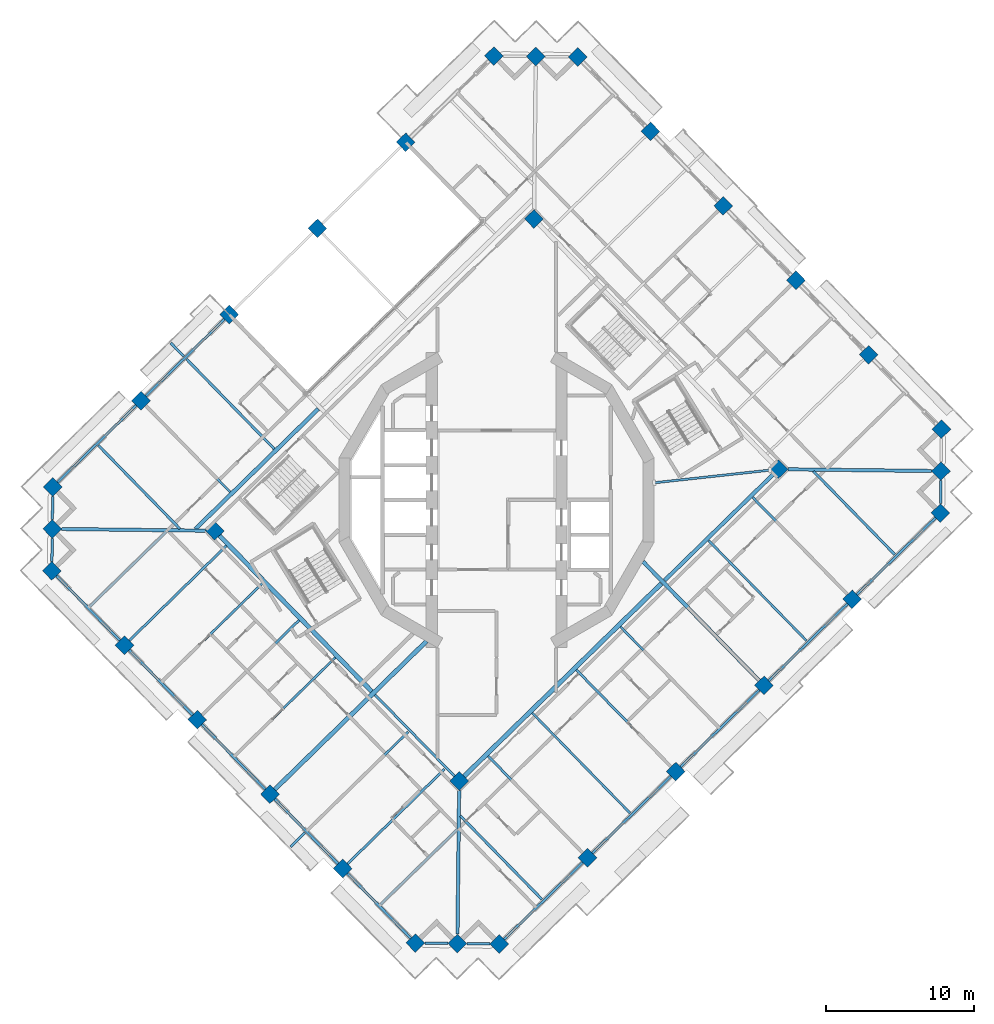
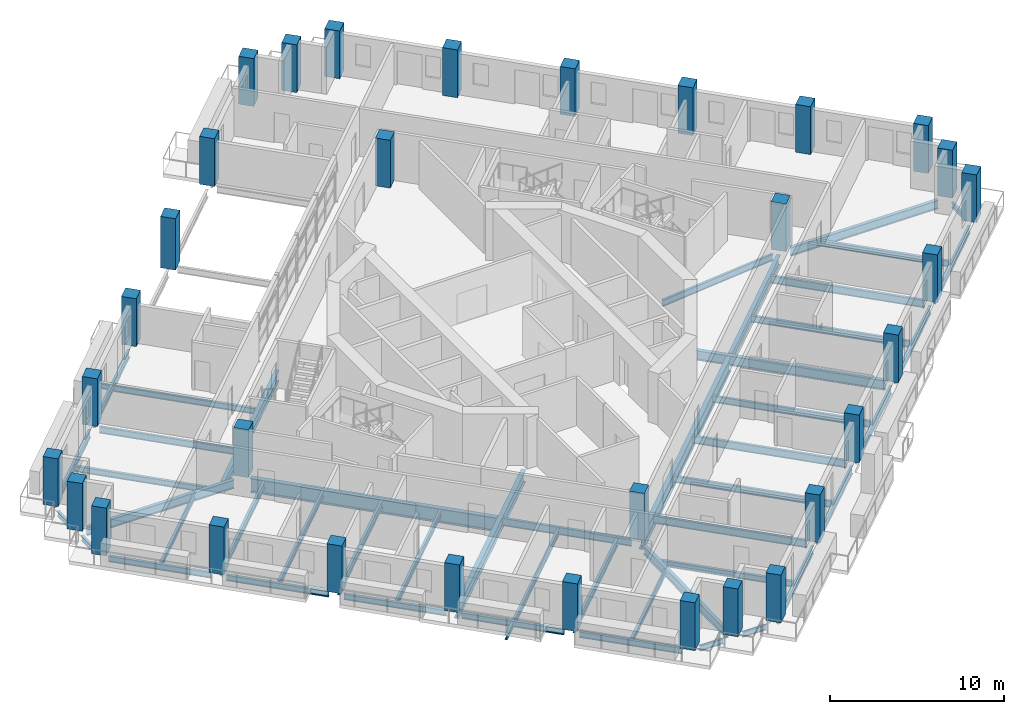
# One storey, part 1 of 19: 49 beams, 32 columns.
"""IFC4 building model written with IfcOpenShell, lengths in metres."""

from ifc_helpers import new_model, si_unit, direction, frame, origin, origin_2d, place, context, subcontext, project, spatial, rectangle, i_section, extrude, material, material_profile, profile_set, type_object, element, save


model = new_model("IFC4")

# Units and contexts
model_context = context("Model", 3, precision=1e-05, world=origin(), true_north=direction((0.0, 1.0)))
body_context = subcontext(model_context, "Body", "Model", "MODEL_VIEW")
ifc_project = project(units=[si_unit("LENGTHUNIT", "METRE"), si_unit("AREAUNIT", "SQUARE_METRE"), si_unit("VOLUMEUNIT", "CUBIC_METRE"), si_unit("PLANEANGLEUNIT", "RADIAN"), si_unit("MASSUNIT", "GRAM", prefix="KILO")], contexts=[model_context])

# Site, building, storey
site_placement = place(None, origin())
site = spatial("IfcSite", under=ifc_project, at=site_placement, CompositionType="ELEMENT")
building_placement = place(site_placement, origin())
building = spatial("IfcBuilding", under=site, at=building_placement, Name="Cantera Rosa Tower", CompositionType="ELEMENT")
storey_placement = place(building_placement, frame((0.0, 0.0, 223.39990234375)))
storey = spatial("IfcBuildingStorey", under=building, at=storey_placement, Name="L48", CompositionType="ELEMENT", Elevation=223.39990234375)

# Columns
ifc_material_1 = material(Name="Concrete C60/75", Category="concrete")
ifc_material_profile_1 = material_profile(ifc_material_1, rectangle(XDim=0.89990234375, YDim=0.89990234375, at=origin_2d()), Name="RC COLUMN RC900X900 C60/75")
ifc_profile_set_1 = profile_set([ifc_material_profile_1], Name="Concrete C60/75")
column_type_1 = type_object("IfcColumnType", Name="RC COLUMN RC900X900 C60/75", PredefinedType="COLUMN", material=ifc_profile_set_1)
for number, where, z_axis, x_axis, name in (
    (1, (30.003662109375, 4.77783203125, 0.0), (0.0, 0.0, 1.0), (0.71528629107, 0.698831540364, 0.0), "C-Z4-01 L48"),
    (2, (25.097900390625, 9.799072265625, 0.0), (0.0, 0.0, 1.0), (0.71528629107, 0.698831540364, 0.0), "C-Z4-02 L48"),
    (3, (20.19189453125, 14.8203125, 0.0), (0.0, 0.0, 1.0), (0.71528629107, 0.698831540364, 0.0), "C-Z4-03 L48"),
    (4, (15.2861328125, 19.841796875, 0.0), (0.0, 0.0, 1.0), (0.71528629107, 0.698831540364, 0.0), "C-Z4-04 L48"),
    (5, (10.38037109375, 24.863037109375, 0.0), (0.0, 0.0, 1.0), (0.71528629107, 0.698831540364, 0.0), "C-Z4-05 L48"),
    (6, (5.474609375, 29.88427734375, 0.0), (0.0, 0.0, 1.0), (0.71528629107, 0.698831540364, 0.0), "C-Z4-06 L48"),
    (7, (2.646484375, 29.917236328125, 0.0), (0.0, 0.0, 1.0), (0.71528629107, 0.698831540364, 0.0), "C-Z4-07 L48"),
    (8, (-0.181884765625, 29.9501953125, 0.0), (0.0, 0.0, 1.0), (0.71528629107, 0.698831540364, 0.0), "C-Z4-08 L48"),
    (9, (-6.133056640625, 24.1357421875, 0.0), (0.0, 0.0, 1.0), (0.71528629107, 0.698831540364, 0.0), "C-Z4-09 L48"),
):
    element("IfcColumn", number, at=place(storey_placement, frame(where, z_axis=z_axis, x_axis=x_axis)), inside=storey, type_object=column_type_1, Name=name, PredefinedType="COLUMN", context=body_context, shape_type="SweptSolid", body=[
        extrude(rectangle(XDim=0.89990234375, YDim=0.89990234375, at=origin_2d()), origin(), (0.0, 0.0, 1.0), 3.35009765625),
    ])
column_placement = place(storey_placement, frame((-12.084228515625, 18.321533203125, -0.25), z_axis=(0.0, 0.0, 1.0), x_axis=(0.71528629107, 0.698831540364, 0.0)))
element("IfcColumn", 10, at=column_placement, inside=storey, type_object=column_type_1, Name="C-Z4-10 L48", PredefinedType="COLUMN", context=body_context, shape_type="SweptSolid", body=[
    extrude(rectangle(XDim=0.89990234375, YDim=0.89990234375, at=origin_2d()), origin(), (0.0, 0.0, 1.0), 3.60009765625),
])
for number, where, z_axis, x_axis, name in (
    (11, (-18.035400390625, 12.50732421875, 0.0), (0.0, 0.0, 1.0), (0.71528629107, 0.698831540364, 0.0), "C-Z4-11 L48"),
    (12, (-23.986572265625, 6.693115234375, 0.0), (0.0, 0.0, 1.0), (0.71528629107, 0.698831540364, 0.0), "C-Z4-12 L48"),
    (13, (-29.937744140625, 0.878662109375, 0.0), (0.0, 0.0, 1.0), (0.71528629107, 0.698831540364, 0.0), "C-Z4-13 L48"),
    (14, (-29.970703125, -1.949462890625, 0.0), (0.0, 0.0, 1.0), (0.71528629107, 0.698831540364, 0.0), "C-Z4-14 L48"),
    (15, (-30.003662109375, -4.77783203125, 0.0), (0.0, 0.0, 1.0), (0.71528629107, 0.698831540364, 0.0), "C-Z4-15 L48"),
    (16, (-25.097900390625, -9.799072265625, 0.0), (0.0, 0.0, 1.0), (0.71528629107, 0.698831540364, 0.0), "C-Z4-16 L48"),
    (17, (-20.19189453125, -14.8203125, 0.0), (0.0, 0.0, 1.0), (0.71528629107, 0.698831540364, 0.0), "C-Z4-17 L48"),
    (18, (-15.2861328125, -19.841796875, 0.0), (0.0, 0.0, 1.0), (0.71528629107, 0.698831540364, 0.0), "C-Z4-18 L48"),
    (19, (-10.38037109375, -24.863037109375, 0.0), (0.0, 0.0, 1.0), (0.71528629107, 0.698831540364, 0.0), "C-Z4-19 L48"),
    (20, (-5.474609375, -29.88427734375, 0.0), (0.0, 0.0, 1.0), (0.71528629107, 0.698831540364, 0.0), "C-Z4-20 L48"),
    (21, (-2.646484375, -29.917236328125, 0.0), (0.0, 0.0, 1.0), (0.71528629107, 0.698831540364, 0.0), "C-Z4-21 L48"),
    (22, (0.181884765625, -29.9501953125, 0.0), (0.0, 0.0, 1.0), (0.71528629107, 0.698831540364, 0.0), "C-Z4-22 L48"),
    (23, (6.133056640625, -24.1357421875, 0.0), (0.0, 0.0, 1.0), (0.71528629107, 0.698831540364, 0.0), "C-Z4-23 L48"),
    (24, (12.084228515625, -18.321533203125, 0.0), (0.0, 0.0, 1.0), (0.71528629107, 0.698831540364, 0.0), "C-Z4-24 L48"),
    (25, (18.035400390625, -12.50732421875, 0.0), (0.0, 0.0, 1.0), (0.71528629107, 0.698831540364, 0.0), "C-Z4-25 L48"),
    (26, (23.986572265625, -6.693115234375, 0.0), (0.0, 0.0, 1.0), (0.71528629107, 0.698831540364, 0.0), "C-Z4-26 L48"),
    (27, (29.937744140625, -0.878662109375, 0.0), (0.0, 0.0, 1.0), (0.71528629107, 0.698831540364, 0.0), "C-Z4-27 L48"),
    (28, (29.970703125, 1.949462890625, 0.0), (0.0, 0.0, 1.0), (0.71528629107, 0.698831540364, 0.0), "C-Z4-28 L48"),
):
    element("IfcColumn", number, at=place(storey_placement, frame(where, z_axis=z_axis, x_axis=x_axis)), inside=storey, type_object=column_type_1, Name=name, PredefinedType="COLUMN", context=body_context, shape_type="SweptSolid", body=[
        extrude(rectangle(XDim=0.89990234375, YDim=0.89990234375, at=origin_2d()), origin(), (0.0, 0.0, 1.0), 3.35009765625),
    ])
ifc_material_2 = material(Name="Concrete C60/75", Category="concrete")
ifc_material_profile_2 = material_profile(ifc_material_2, rectangle(XDim=0.89990234375, YDim=0.89990234375, at=origin_2d()), Name="RC RING COLUMN RC900X900 C60/75")
ifc_profile_set_2 = profile_set([ifc_material_profile_2], Name="Concrete C60/75")
column_type_2 = type_object("IfcColumnType", Name="RC RING COLUMN RC900X900 C60/75", PredefinedType="COLUMN", material=ifc_profile_set_2)
for number, where, z_axis, x_axis, name in (
    (29, (2.518798828125, 18.957763671875, 0.0), (0.0, 0.0, 1.0), (0.71528629107, 0.698831540364, 0.0), "CI-Z4-1 L48"),
    (30, (-19.01123046875, -2.0771484375, 0.0), (0.0, 0.0, 1.0), (0.71528629107, 0.698831540364, 0.0), "CI-Z4-2 L48"),
    (31, (-2.518798828125, -18.957763671875, 0.0), (0.0, 0.0, 1.0), (0.71528629107, 0.698831540364, 0.0), "CI-Z4-3 L48"),
    (32, (19.01123046875, 2.0771484375, 0.0), (0.0, 0.0, 1.0), (0.71528629107, 0.698831540364, 0.0), "CI-Z4-4 L48"),
):
    element("IfcColumn", number, at=place(storey_placement, frame(where, z_axis=z_axis, x_axis=x_axis)), inside=storey, type_object=column_type_2, Name=name, PredefinedType="COLUMN", context=body_context, shape_type="SweptSolid", body=[
        extrude(rectangle(XDim=0.89990234375, YDim=0.89990234375, at=origin_2d()), origin(), (0.0, 0.0, 1.0), 3.35009765625),
    ])

# Beams
ifc_material_3 = material(Name="Steel ASTM A992 (Fy 345 MPa)", Category="steel")
ifc_material_profile_3 = material_profile(ifc_material_3, i_section(OverallWidth=0.300048828125, OverallDepth=0.990966796875, WebThickness=0.0166015625, FlangeThickness=0.030517578125, FilletRadius=0.030029296875, at=origin_2d()), Name="W1000X272")
ifc_profile_set_3 = profile_set([ifc_material_profile_3], Name="Steel ASTM A992 (Fy 345 MPa)")
beam_type_1 = type_object("IfcBeamType", Name="STEEL BEAM W1000X272", PredefinedType="BEAM", material=ifc_profile_set_3)
beam_1_placement = place(storey_placement, frame((-8.4169921875, -12.9208984375, -0.745361328125), z_axis=(-0.698826825527, 0.715290897415, 0.0), x_axis=(-0.715290897415, -0.698826825527, 0.0)))
element("IfcBeam", 33, at=beam_1_placement, inside=storey, type_object=beam_type_1, Name="RB-Z4-07 L48", PredefinedType="BEAM", context=body_context, shape_type="SweptSolid", body=[
    extrude(i_section(OverallWidth=0.300048828125, OverallDepth=0.990966796875, WebThickness=0.0166015625, FlangeThickness=0.030517578125, FilletRadius=0.030029296875, at=origin_2d()), origin(), (0.0, 0.0, 1.0), 14.7099609375),
])
ifc_material_4 = material(Name="Steel ASTM A992 (Fy 345 MPa)", Category="steel")
ifc_material_profile_4 = material_profile(ifc_material_4, i_section(OverallWidth=0.302001953125, OverallDepth=1.010009765625, WebThickness=0.02099609375, FlangeThickness=0.0400390625, FilletRadius=0.030029296875, at=origin_2d()), Name="W1000X350")
ifc_profile_set_4 = profile_set([ifc_material_profile_4], Name="Steel ASTM A992 (Fy 345 MPa)")
beam_type_2 = type_object("IfcBeamType", Name="STEEL BEAM W1000X350", PredefinedType="BEAM", material=ifc_profile_set_4)
beam_2_placement = place(storey_placement, frame((-2.197021484375, -18.643310546875, -0.7548828125), z_axis=(0.715290925107, 0.698826797182, 0.0), x_axis=(-0.698826797182, 0.715290925107, 0.0)))
element("IfcBeam", 34, at=beam_2_placement, inside=storey, type_object=beam_type_2, Name="RB-Z4-03 L48", PredefinedType="BEAM", context=body_context, shape_type="SweptSolid", body=[
    extrude(i_section(OverallWidth=0.302001953125, OverallDepth=1.010009765625, WebThickness=0.02099609375, FlangeThickness=0.0400390625, FilletRadius=0.030029296875, at=origin_2d()), origin(), (0.0, 0.0, 1.0), 18.60986328125),
])
ifc_material_5 = material(Name="Steel ASTM A992 (Fy 345 MPa)", Category="steel")
ifc_material_profile_5 = material_profile(ifc_material_5, i_section(OverallWidth=0.154052734375, OverallDepth=0.4599609375, WebThickness=0.009033203125, FlangeThickness=0.015380859375, FilletRadius=0.01025390625, at=origin_2d()), Name="W460X68")
ifc_profile_set_5 = profile_set([ifc_material_profile_5], Name="Steel ASTM A992 (Fy 345 MPa)")
beam_type_3 = type_object("IfcBeamType", Name="STEEL BEAM W460X68", PredefinedType="BEAM", material=ifc_profile_set_5)
beam_3_placement = place(storey_placement, frame((-23.672119140625, 6.37109375, -0.47998046875), z_axis=(0.698836133494, -0.715281803574, 0.0), x_axis=(0.715281803574, 0.698836133494, 0.0)))
element("IfcBeam", 35, at=beam_3_placement, inside=storey, type_object=beam_type_3, Name="G-Z4-08 L48", PredefinedType="BEAM", context=body_context, shape_type="SweptSolid", body=[
    extrude(i_section(OverallWidth=0.154052734375, OverallDepth=0.4599609375, WebThickness=0.009033203125, FlangeThickness=0.015380859375, FilletRadius=0.01025390625, at=origin_2d()), origin(), (0.0, 0.0, 1.0), 8.150146484375),
])
beam_4_placement = place(storey_placement, frame((18.44287109375, 2.014892578125, -0.47998046875), z_axis=(-0.994086100692, -0.108594771563, 0.0), x_axis=(0.108594771563, -0.994086100692, 0.0)))
element("IfcBeam", 36, at=beam_4_placement, inside=storey, type_object=beam_type_3, Name="PG-Z4-01 L48", PredefinedType="BEAM", context=body_context, shape_type="SweptSolid", body=[
    extrude(i_section(OverallWidth=0.154052734375, OverallDepth=0.4599609375, WebThickness=0.009033203125, FlangeThickness=0.015380859375, FilletRadius=0.01025390625, at=origin_2d()), origin(), (0.0, 0.0, 1.0), 7.864013671875),
])
ifc_material_6 = material(Name="Steel ASTM A992 (Fy 345 MPa)", Category="steel")
ifc_material_profile_6 = material_profile(ifc_material_6, i_section(OverallWidth=0.166015625, OverallDepth=0.528076171875, WebThickness=0.009765625, FlangeThickness=0.013671875, FilletRadius=0.0126953125, at=origin_2d()), Name="W530X74")
ifc_profile_set_6 = profile_set([ifc_material_profile_6], Name="Steel ASTM A992 (Fy 345 MPa)")
beam_type_4 = type_object("IfcBeamType", Name="STEEL BEAM W530X74", PredefinedType="BEAM", material=ifc_profile_set_6)
for number, where, z_axis, x_axis, name in (
    (37, (5.818603515625, -23.81396484375, -0.513916015625), (-0.698827481213, 0.71529025682, 0.0), (-0.71529025682, -0.698827481213, 0.0), "G-Z4-09 L48"),
    (38, (11.769775390625, -17.999755859375, -0.513916015625), (-0.698827481213, 0.71529025682, 0.0), (-0.71529025682, -0.698827481213, 0.0), "G-Z4-10 L48"),
    (39, (23.672119140625, -6.37109375, -0.513916015625), (-0.698827481213, 0.71529025682, 0.0), (-0.71529025682, -0.698827481213, 0.0), "G-Z4-12 L48"),
    (40, (-24.77587890625, -9.484619140625, -0.513916015625), (0.71529025682, 0.698827481213, 0.0), (-0.698827481213, 0.71529025682, 0.0), "G-Z4-13 L48"),
    (41, (-19.8701171875, -14.505859375, -0.513916015625), (0.71529025682, 0.698827481213, 0.0), (-0.698827481213, 0.71529025682, 0.0), "G-Z4-14 L48"),
    (42, (-10.05859375, -24.548583984375, -0.513916015625), (0.71529025682, 0.698827481213, 0.0), (-0.698827481213, 0.71529025682, 0.0), "G-Z4-16 L48"),
):
    element("IfcBeam", number, at=place(storey_placement, frame(where, z_axis=z_axis, x_axis=x_axis)), inside=storey, type_object=beam_type_4, Name=name, PredefinedType="BEAM", context=body_context, shape_type="SweptSolid", body=[
        extrude(i_section(OverallWidth=0.166015625, OverallDepth=0.528076171875, WebThickness=0.009765625, FlangeThickness=0.013671875, FilletRadius=0.0126953125, at=origin_2d()), origin(), (0.0, 0.0, 1.0), 9.14990234375),
    ])
beam_5_placement = place(storey_placement, frame((-2.833251953125, -18.635986328125, -0.513916015625), z_axis=(-0.698820376914, 0.71529719754, 0.0), x_axis=(-0.71529719754, -0.698820376914, 0.0)))
element("IfcBeam", 43, at=beam_5_placement, inside=storey, type_object=beam_type_4, Name="RB-Z4-06 L48", PredefinedType="BEAM", context=body_context, shape_type="SweptSolid", body=[
    extrude(i_section(OverallWidth=0.166015625, OverallDepth=0.528076171875, WebThickness=0.009765625, FlangeThickness=0.013671875, FilletRadius=0.0126953125, at=origin_2d()), origin(), (0.0, 0.0, 1.0), 7.690185546875),
])
ifc_material_7 = material(Name="Steel ASTM A992 (Fy 345 MPa)", Category="steel")
ifc_material_profile_7 = material_profile(ifc_material_7, i_section(OverallWidth=0.22802734375, OverallDepth=0.60205078125, WebThickness=0.010498046875, FlangeThickness=0.014892578125, FilletRadius=0.0126953125, at=origin_2d()), Name="W610X101")
ifc_profile_set_7 = profile_set([ifc_material_profile_7], Name="Steel ASTM A992 (Fy 345 MPa)")
beam_type_5 = type_object("IfcBeamType", Name="STEEL BEAM W610X101", PredefinedType="BEAM", material=ifc_profile_set_7)
for number, where, z_axis, x_axis, name in (
    (44, (-29.334228515625, -1.95703125, -0.55078125), (0.999932504919, -0.011618330597, 0.0), (0.011618330597, 0.999932504919, 0.0), "CB-Z4-02 L48"),
    (45, (-2.638916015625, -29.28076171875, -0.55078125), (0.011618330597, 0.999932504919, 0.0), (-0.999932504919, 0.011618330597, 0.0), "CB-Z4-03 L48"),
    (46, (29.334228515625, 1.95703125, -0.55078125), (-0.999932504919, 0.011618330597, 0.0), (-0.011618330597, -0.999932504919, 0.0), "CB-Z4-04 L48"),
):
    element("IfcBeam", number, at=place(storey_placement, frame(where, z_axis=z_axis, x_axis=x_axis)), inside=storey, type_object=beam_type_5, Name=name, PredefinedType="BEAM", context=body_context, shape_type="SweptSolid", body=[
        extrude(i_section(OverallWidth=0.22802734375, OverallDepth=0.60205078125, WebThickness=0.010498046875, FlangeThickness=0.014892578125, FilletRadius=0.0126953125, at=origin_2d()), origin(), (0.0, 0.0, 1.0), 9.687255859375),
    ])
ifc_material_8 = material(Name="Steel ASTM A992 (Fy 345 MPa)", Category="steel")
ifc_material_profile_8 = material_profile(ifc_material_8, i_section(OverallWidth=0.25390625, OverallDepth=0.677978515625, WebThickness=0.01171875, FlangeThickness=0.016357421875, FilletRadius=0.01513671875, at=origin_2d()), Name="W690X125")
ifc_profile_set_8 = profile_set([ifc_material_profile_8], Name="Steel ASTM A992 (Fy 345 MPa)")
beam_type_6 = type_object("IfcBeamType", Name="STEEL BEAM W690X125", PredefinedType="BEAM", material=ifc_profile_set_8)
beam_6_placement = place(storey_placement, frame((17.720947265625, -12.185302734375, -0.5888671875), z_axis=(-0.698831358516, 0.715286468734, 0.0), x_axis=(-0.715286468734, -0.698831358516, 0.0)))
element("IfcBeam", 47, at=beam_6_placement, inside=storey, type_object=beam_type_6, Name="G-Z4-11 L48", PredefinedType="BEAM", context=body_context, shape_type="SweptSolid", body=[
    extrude(i_section(OverallWidth=0.25390625, OverallDepth=0.677978515625, WebThickness=0.01171875, FlangeThickness=0.016357421875, FilletRadius=0.01513671875, at=origin_2d()), origin(), (0.0, 0.0, 1.0), 11.2314453125),
])
beam_7_placement = place(storey_placement, frame((11.3291015625, -5.428466796875, -0.5888671875), z_axis=(0.715291776896, 0.698825925324, 0.0), x_axis=(-0.698825925324, 0.715291776896, 0.0)))
element("IfcBeam", 48, at=beam_7_placement, inside=storey, type_object=beam_type_6, Name="RB-Z4-04 L48", PredefinedType="BEAM", context=body_context, shape_type="SweptSolid", body=[
    extrude(i_section(OverallWidth=0.25390625, OverallDepth=0.677978515625, WebThickness=0.01171875, FlangeThickness=0.016357421875, FilletRadius=0.01513671875, at=origin_2d()), origin(), (0.0, 0.0, 1.0), 10.2900390625),
])
ifc_material_9 = material(Name="Steel ASTM A992 (Fy 345 MPa)", Category="steel")
ifc_material_profile_9 = material_profile(ifc_material_9, i_section(OverallWidth=0.26708984375, OverallDepth=0.75390625, WebThickness=0.01318359375, FlangeThickness=0.01708984375, FilletRadius=0.0166015625, at=origin_2d()), Name="W760X147")
ifc_profile_set_9 = profile_set([ifc_material_profile_9], Name="Steel ASTM A992 (Fy 345 MPa)")
beam_type_7 = type_object("IfcBeamType", Name="STEEL BEAM W760X147", PredefinedType="BEAM", material=ifc_profile_set_9)
beam_8_placement = place(storey_placement, frame((-20.318115234375, -1.955810546875, -0.626953125), z_axis=(0.715284592672, 0.698833278749, 0.0), x_axis=(-0.698833278749, 0.715284592672, 0.0)))
element("IfcBeam", 49, at=beam_8_placement, inside=storey, type_object=beam_type_7, Name="RB-Z4-01 L48", PredefinedType="BEAM", context=body_context, shape_type="SweptSolid", body=[
    extrude(i_section(OverallWidth=0.26708984375, OverallDepth=0.75390625, WebThickness=0.01318359375, FlangeThickness=0.01708984375, FilletRadius=0.0166015625, at=origin_2d()), origin(), (0.0, 0.0, 1.0), 11.590087890625),
])
ifc_material_10 = material(Name="Steel ASTM A992 (Fy 345 MPa)", Category="steel")
ifc_material_profile_10 = material_profile(ifc_material_10, i_section(OverallWidth=0.2919921875, OverallDepth=0.8359375, WebThickness=0.013916015625, FlangeThickness=0.018798828125, FilletRadius=0.017822265625, at=origin_2d()), Name="W840X176")
ifc_profile_set_10 = profile_set([ifc_material_profile_10], Name="Steel ASTM A992 (Fy 345 MPa)")
beam_type_8 = type_object("IfcBeamType", Name="STEEL BEAM W840X176", PredefinedType="BEAM", material=ifc_profile_set_10)
beam_9_placement = place(storey_placement, frame((-14.96435546875, -19.527099609375, -0.66796875), z_axis=(0.715288446628, 0.698829334045, 0.0), x_axis=(-0.698829334045, 0.715288446628, 0.0)))
element("IfcBeam", 50, at=beam_9_placement, inside=storey, type_object=beam_type_8, Name="G-Z4-15 L48", PredefinedType="BEAM", context=body_context, shape_type="SweptSolid", body=[
    extrude(i_section(OverallWidth=0.2919921875, OverallDepth=0.8359375, WebThickness=0.013916015625, FlangeThickness=0.018798828125, FilletRadius=0.017822265625, at=origin_2d()), origin(), (0.0, 0.0, 1.0), 14.299072265625),
])
ifc_material_11 = material(Name="Steel ASTM A992 (Fy 345 MPa)", Category="steel")
ifc_material_profile_11 = material_profile(ifc_material_11, i_section(OverallWidth=0.1708984375, OverallDepth=0.35595703125, WebThickness=0.00732421875, FlangeThickness=0.01171875, FilletRadius=0.010009765625, at=origin_2d()), Name="W360X51")
ifc_profile_set_11 = profile_set([ifc_material_profile_11], Name="Steel ASTM A992 (Fy 345 MPa)")
beam_type_9 = type_object("IfcBeamType", Name="STEEL JOIST W360X51", PredefinedType="JOIST", material=ifc_profile_set_11)
for number, where, z_axis, x_axis, name in (
    (51, (-27.443359375, -7.18359375, -0.427978515625), (0.715287213552, 0.69883059616, 0.0), (-0.69883059616, 0.715287213552, 0.0), "B-Z4-16 L48"),
    (52, (-7.8203125, -27.268798828125, -0.427978515625), (0.715287213552, 0.69883059616, 0.0), (-0.69883059616, 0.715287213552, 0.0), "B-Z4-20 L48"),
):
    element("IfcBeam", number, at=place(storey_placement, frame(where, z_axis=z_axis, x_axis=x_axis)), inside=storey, type_object=beam_type_9, Name=name, PredefinedType="JOIST", context=body_context, shape_type="SweptSolid", body=[
        extrude(i_section(OverallWidth=0.1708984375, OverallDepth=0.35595703125, WebThickness=0.00732421875, FlangeThickness=0.01171875, FilletRadius=0.010009765625, at=origin_2d()), origin(), (0.0, 0.0, 1.0), 7.2099609375),
    ])
beam_10_placement = place(storey_placement, frame((-21.101806640625, 9.693115234375, -0.427978515625), z_axis=(-0.698855744509, 0.715262642927, 0.0), x_axis=(-0.715262642927, -0.698855744509, 0.0)))
element("IfcBeam", 53, at=beam_10_placement, inside=storey, type_object=beam_type_9, Name="BS-Z4-09 L48", PredefinedType="JOIST", context=body_context, shape_type="SweptSolid", body=[
    extrude(i_section(OverallWidth=0.1708984375, OverallDepth=0.35595703125, WebThickness=0.00732421875, FlangeThickness=0.01171875, FilletRadius=0.010009765625, at=origin_2d()), origin(), (0.0, 0.0, 1.0), 1.25),
])
beam_11_placement = place(storey_placement, frame((-12.92626953125, -22.443115234375, -0.427978515625), z_axis=(-0.715278545481, -0.698839468243, 0.0), x_axis=(0.698839468243, -0.715278545481, 0.0)))
element("IfcBeam", 54, at=beam_11_placement, inside=storey, type_object=beam_type_9, Name="BS-Z4-10 L48", PredefinedType="JOIST", context=body_context, shape_type="SweptSolid", body=[
    extrude(i_section(OverallWidth=0.1708984375, OverallDepth=0.35595703125, WebThickness=0.00732421875, FlangeThickness=0.01171875, FilletRadius=0.010009765625, at=origin_2d()), origin(), (0.0, 0.0, 1.0), 1.3662109375),
])
ifc_material_12 = material(Name="Steel ASTM A992 (Fy 345 MPa)", Category="steel")
ifc_material_profile_12 = material_profile(ifc_material_12, i_section(OverallWidth=0.177978515625, OverallDepth=0.406005859375, WebThickness=0.0078125, FlangeThickness=0.0126953125, FilletRadius=0.01025390625, at=origin_2d()), Name="W410X60")
ifc_profile_set_12 = profile_set([ifc_material_profile_12], Name="Steel ASTM A992 (Fy 345 MPa)")
beam_type_10 = type_object("IfcBeamType", Name="STEEL JOIST W410X60", PredefinedType="JOIST", material=ifc_profile_set_12)
beam_12_placement = place(storey_placement, frame((-20.90625, 9.492919921875, -0.452880859375), z_axis=(0.698839235604, -0.715278772774, 0.0), x_axis=(0.715278772774, 0.698839235604, 0.0)))
element("IfcBeam", 55, at=beam_12_placement, inside=storey, type_object=beam_type_10, Name="B-Z4-09 L48", PredefinedType="JOIST", context=body_context, shape_type="SweptSolid", body=[
    extrude(i_section(OverallWidth=0.177978515625, OverallDepth=0.406005859375, WebThickness=0.0078125, FlangeThickness=0.0126953125, FilletRadius=0.01025390625, at=origin_2d()), origin(), (0.0, 0.0, 1.0), 8.4501953125),
])
for number, where, z_axis, x_axis, name in (
    (56, (-26.857421875, 3.678466796875, -0.452880859375), (0.698843394481, -0.715274709458, 0.0), (0.715274709458, 0.698843394481, 0.0), "B-Z4-10 L48"),
    (57, (3.052734375, -26.935791015625, -0.452880859375), (-0.698827868311, 0.715289878631, 0.0), (-0.715289878631, -0.698827868311, 0.0), "B-Z4-11 L48"),
    (58, (26.857421875, -3.678466796875, -0.452880859375), (-0.698843394481, 0.715274709458, 0.0), (-0.715274709458, -0.698843394481, 0.0), "B-Z4-15 L48"),
):
    element("IfcBeam", number, at=place(storey_placement, frame(where, z_axis=z_axis, x_axis=x_axis)), inside=storey, type_object=beam_type_10, Name=name, PredefinedType="JOIST", context=body_context, shape_type="SweptSolid", body=[
        extrude(i_section(OverallWidth=0.177978515625, OverallDepth=0.406005859375, WebThickness=0.0078125, FlangeThickness=0.0126953125, FilletRadius=0.01025390625, at=origin_2d()), origin(), (0.0, 0.0, 1.0), 7.860107421875),
    ])
ifc_material_13 = material(Name="Steel ASTM A992 (Fy 345 MPa)", Category="steel")
ifc_material_profile_13 = material_profile(ifc_material_13, i_section(OverallWidth=0.154052734375, OverallDepth=0.4599609375, WebThickness=0.009033203125, FlangeThickness=0.015380859375, FilletRadius=0.01025390625, at=origin_2d()), Name="W460X68")
ifc_profile_set_13 = profile_set([ifc_material_profile_13], Name="Steel ASTM A992 (Fy 345 MPa)")
beam_type_11 = type_object("IfcBeamType", Name="STEEL JOIST W460X68", PredefinedType="JOIST", material=ifc_profile_set_13)
beam_13_placement = place(storey_placement, frame((9.00390625, -21.121337890625, -0.47998046875), z_axis=(-0.698843443844, 0.715274661229, 0.0), x_axis=(-0.715274661229, -0.698843443844, 0.0)))
element("IfcBeam", 59, at=beam_13_placement, inside=storey, type_object=beam_type_11, Name="B-Z4-12 L48", PredefinedType="JOIST", context=body_context, shape_type="SweptSolid", body=[
    extrude(i_section(OverallWidth=0.154052734375, OverallDepth=0.4599609375, WebThickness=0.009033203125, FlangeThickness=0.015380859375, FilletRadius=0.01025390625, at=origin_2d()), origin(), (0.0, 0.0, 1.0), 9.449951171875),
])
for number, where, z_axis, x_axis, name in (
    (60, (14.955078125, -15.30712890625, -0.47998046875), (-0.698830529832, 0.715287278354, 0.0), (-0.715287278354, -0.698830529832, 0.0), "B-Z4-13 L48"),
    (61, (20.90625, -9.492919921875, -0.47998046875), (-0.698830529832, 0.715287278354, 0.0), (-0.715287278354, -0.698830529832, 0.0), "B-Z4-14 L48"),
    (62, (-22.53759765625, -12.204833984375, -0.47998046875), (0.715287278354, 0.698830529832, 0.0), (-0.698830529832, 0.715287278354, 0.0), "B-Z4-17 L48"),
    (63, (-17.6318359375, -17.226318359375, -0.47998046875), (0.715287278354, 0.698830529832, 0.0), (-0.698830529832, 0.715287278354, 0.0), "B-Z4-18 L48"),
    (64, (-12.72607421875, -22.24755859375, -0.47998046875), (0.715287278354, 0.698830529832, 0.0), (-0.698830529832, 0.715287278354, 0.0), "B-Z4-19 L48"),
):
    element("IfcBeam", number, at=place(storey_placement, frame(where, z_axis=z_axis, x_axis=x_axis)), inside=storey, type_object=beam_type_11, Name=name, PredefinedType="JOIST", context=body_context, shape_type="SweptSolid", body=[
        extrude(i_section(OverallWidth=0.154052734375, OverallDepth=0.4599609375, WebThickness=0.009033203125, FlangeThickness=0.015380859375, FilletRadius=0.01025390625, at=origin_2d()), origin(), (0.0, 0.0, 1.0), 9.4501953125),
    ])
ifc_material_14 = material(Name="Steel ASTM A992 (Fy 345 MPa)", Category="steel")
ifc_material_profile_14 = material_profile(ifc_material_14, i_section(OverallWidth=0.1708984375, OverallDepth=0.35595703125, WebThickness=0.00732421875, FlangeThickness=0.01171875, FilletRadius=0.010009765625, at=origin_2d()), Name="W360X51")
ifc_profile_set_14 = profile_set([ifc_material_profile_14], Name="Steel ASTM A992 (Fy 345 MPa)")
beam_type_12 = type_object("IfcBeamType", Name="STEEL SPANDREL BEAM W360X51", PredefinedType="SPANDREL", material=ifc_profile_set_14)
beam_14_placement = place(storey_placement, frame((-29.945068359375, 0.242431640625, -0.427978515625), z_axis=(-0.011769429589, -0.999930737865, 0.0), x_axis=(0.999930737865, -0.011769429589, 0.0)))
element("IfcBeam", 65, at=beam_14_placement, inside=storey, type_object=beam_type_12, Name="EB-Z4-13 L48", PredefinedType="SPANDREL", context=body_context, shape_type="SweptSolid", body=[
    extrude(i_section(OverallWidth=0.1708984375, OverallDepth=0.35595703125, WebThickness=0.00732421875, FlangeThickness=0.01171875, FilletRadius=0.010009765625, at=origin_2d()), origin(), (0.0, 0.0, 1.0), 1.5556640625),
])
for number, where, z_axis, x_axis, name in (
    (66, (-29.97802734375, -2.5859375, -0.427978515625), (-0.011614347636, -0.99993255119, 0.0), (0.99993255119, -0.011614347636, 0.0), "EB-Z4-14 L48"),
    (67, (-4.838134765625, -29.8916015625, -0.427978515625), (0.999930716123, -0.011771276677, 0.0), (0.011771276677, 0.999930716123, 0.0), "EB-Z4-20 L48"),
    (68, (-2.010009765625, -29.924560546875, -0.427978515625), (0.99993255119, -0.011614347636, 0.0), (0.011614347636, 0.99993255119, 0.0), "EB-Z4-21 L48"),
):
    element("IfcBeam", number, at=place(storey_placement, frame(where, z_axis=z_axis, x_axis=x_axis)), inside=storey, type_object=beam_type_12, Name=name, PredefinedType="SPANDREL", context=body_context, shape_type="SweptSolid", body=[
        extrude(i_section(OverallWidth=0.1708984375, OverallDepth=0.35595703125, WebThickness=0.00732421875, FlangeThickness=0.01171875, FilletRadius=0.010009765625, at=origin_2d()), origin(), (0.0, 0.0, 1.0), 1.555419921875),
    ])
beam_15_placement = place(storey_placement, frame((29.945068359375, -0.242431640625, -0.427978515625), z_axis=(0.011769429589, 0.999930737865, 0.0), x_axis=(-0.999930737865, 0.011769429589, 0.0)))
element("IfcBeam", 69, at=beam_15_placement, inside=storey, type_object=beam_type_12, Name="EB-Z4-27 L48", PredefinedType="SPANDREL", context=body_context, shape_type="SweptSolid", body=[
    extrude(i_section(OverallWidth=0.1708984375, OverallDepth=0.35595703125, WebThickness=0.00732421875, FlangeThickness=0.01171875, FilletRadius=0.010009765625, at=origin_2d()), origin(), (0.0, 0.0, 1.0), 1.5556640625),
])
ifc_material_15 = material(Name="Steel ASTM A992 (Fy 345 MPa)", Category="steel")
ifc_material_profile_15 = material_profile(ifc_material_15, i_section(OverallWidth=0.177978515625, OverallDepth=0.406005859375, WebThickness=0.0078125, FlangeThickness=0.0126953125, FilletRadius=0.01025390625, at=origin_2d()), Name="W410X60")
ifc_profile_set_15 = profile_set([ifc_material_profile_15], Name="Steel ASTM A992 (Fy 345 MPa)")
beam_type_13 = type_object("IfcBeamType", Name="STEEL SPANDREL BEAM W410X60", PredefinedType="SPANDREL", material=ifc_profile_set_15)
beam_16_placement = place(storey_placement, frame((-29.689208984375, -5.099609375, -0.452880859375), z_axis=(0.69882117953, -0.715296413412, 0.0), x_axis=(0.715296413412, 0.69882117953, 0.0)))
element("IfcBeam", 70, at=beam_16_placement, inside=storey, type_object=beam_type_13, Name="EB-Z4-15 L48", PredefinedType="SPANDREL", context=body_context, shape_type="SweptSolid", body=[
    extrude(i_section(OverallWidth=0.177978515625, OverallDepth=0.406005859375, WebThickness=0.0078125, FlangeThickness=0.0126953125, FilletRadius=0.01025390625, at=origin_2d()), origin(), (0.0, 0.0, 1.0), 6.1201171875),
])
for number, where, z_axis, x_axis, name in (
    (71, (-24.783203125, -10.120849609375, -0.452880859375), (0.698800768177, -0.715316354067, 0.0), (0.715316354067, 0.698800768177, 0.0), "EB-Z4-16 L48"),
    (72, (-19.87744140625, -15.142333984375, -0.452880859375), (0.698841120217, -0.71527693147, 0.0), (0.71527693147, 0.698841120217, 0.0), "EB-Z4-17 L48"),
    (73, (-14.9716796875, -20.16357421875, -0.452880859375), (0.698841120217, -0.71527693147, 0.0), (0.71527693147, 0.698841120217, 0.0), "EB-Z4-18 L48"),
):
    element("IfcBeam", number, at=place(storey_placement, frame(where, z_axis=z_axis, x_axis=x_axis)), inside=storey, type_object=beam_type_13, Name=name, PredefinedType="SPANDREL", context=body_context, shape_type="SweptSolid", body=[
        extrude(i_section(OverallWidth=0.177978515625, OverallDepth=0.406005859375, WebThickness=0.0078125, FlangeThickness=0.0126953125, FilletRadius=0.01025390625, at=origin_2d()), origin(), (0.0, 0.0, 1.0), 6.119873046875),
    ])
beam_17_placement = place(storey_placement, frame((-10.06591796875, -25.184814453125, -0.452880859375), z_axis=(0.69882117953, -0.715296413412, 0.0), x_axis=(0.715296413412, 0.69882117953, 0.0)))
element("IfcBeam", 74, at=beam_17_placement, inside=storey, type_object=beam_type_13, Name="EB-Z4-19 L48", PredefinedType="SPANDREL", context=body_context, shape_type="SweptSolid", body=[
    extrude(i_section(OverallWidth=0.177978515625, OverallDepth=0.406005859375, WebThickness=0.0078125, FlangeThickness=0.0126953125, FilletRadius=0.01025390625, at=origin_2d()), origin(), (0.0, 0.0, 1.0), 6.1201171875),
])
ifc_material_16 = material(Name="Steel ASTM A992 (Fy 345 MPa)", Category="steel")
ifc_material_profile_16 = material_profile(ifc_material_16, i_section(OverallWidth=0.166015625, OverallDepth=0.528076171875, WebThickness=0.009765625, FlangeThickness=0.013671875, FilletRadius=0.0126953125, at=origin_2d()), Name="W530X74")
ifc_profile_set_16 = profile_set([ifc_material_profile_16], Name="Steel ASTM A992 (Fy 345 MPa)")
beam_type_14 = type_object("IfcBeamType", Name="STEEL SPANDREL BEAM W530X74", PredefinedType="SPANDREL", material=ifc_profile_set_16)
for number, where, z_axis, x_axis, name in (
    (75, (-18.357177734375, 12.19287109375, -0.513916015625), (-0.715300826176, -0.698816662703, 0.0), (0.698816662703, -0.715300826176, 0.0), "EB-Z4-11 L48"),
    (76, (-24.308349609375, 6.37841796875, -0.513916015625), (-0.715300826176, -0.698816662703, 0.0), (0.698816662703, -0.715300826176, 0.0), "EB-Z4-12 L48"),
):
    element("IfcBeam", number, at=place(storey_placement, frame(where, z_axis=z_axis, x_axis=x_axis)), inside=storey, type_object=beam_type_14, Name=name, PredefinedType="SPANDREL", context=body_context, shape_type="SweptSolid", body=[
        extrude(i_section(OverallWidth=0.166015625, OverallDepth=0.528076171875, WebThickness=0.009765625, FlangeThickness=0.013671875, FilletRadius=0.0126953125, at=origin_2d()), origin(), (0.0, 0.0, 1.0), 7.420166015625),
    ])
beam_18_placement = place(storey_placement, frame((0.503662109375, -29.6357421875, -0.513916015625), z_axis=(0.715284379566, 0.698833496871, 0.0), x_axis=(-0.698833496871, 0.715284379566, 0.0)))
element("IfcBeam", 77, at=beam_18_placement, inside=storey, type_object=beam_type_14, Name="EB-Z4-22 L48", PredefinedType="SPANDREL", context=body_context, shape_type="SweptSolid", body=[
    extrude(i_section(OverallWidth=0.166015625, OverallDepth=0.528076171875, WebThickness=0.009765625, FlangeThickness=0.013671875, FilletRadius=0.0126953125, at=origin_2d()), origin(), (0.0, 0.0, 1.0), 7.42041015625),
])
for number, where, z_axis, x_axis, name in (
    (78, (6.454833984375, -23.8212890625, -0.513916015625), (0.715300826176, 0.698816662703, 0.0), (-0.698816662703, 0.715300826176, 0.0), "EB-Z4-23 L48"),
    (79, (12.406005859375, -18.007080078125, -0.513916015625), (0.715300826176, 0.698816662703, 0.0), (-0.698816662703, 0.715300826176, 0.0), "EB-Z4-24 L48"),
    (80, (18.357177734375, -12.19287109375, -0.513916015625), (0.715300826176, 0.698816662703, 0.0), (-0.698816662703, 0.715300826176, 0.0), "EB-Z4-25 L48"),
    (81, (24.308349609375, -6.37841796875, -0.513916015625), (0.715300826176, 0.698816662703, 0.0), (-0.698816662703, 0.715300826176, 0.0), "EB-Z4-26 L48"),
):
    element("IfcBeam", number, at=place(storey_placement, frame(where, z_axis=z_axis, x_axis=x_axis)), inside=storey, type_object=beam_type_14, Name=name, PredefinedType="SPANDREL", context=body_context, shape_type="SweptSolid", body=[
        extrude(i_section(OverallWidth=0.166015625, OverallDepth=0.528076171875, WebThickness=0.009765625, FlangeThickness=0.013671875, FilletRadius=0.0126953125, at=origin_2d()), origin(), (0.0, 0.0, 1.0), 7.420166015625),
    ])

save(model, "model.ifc")
